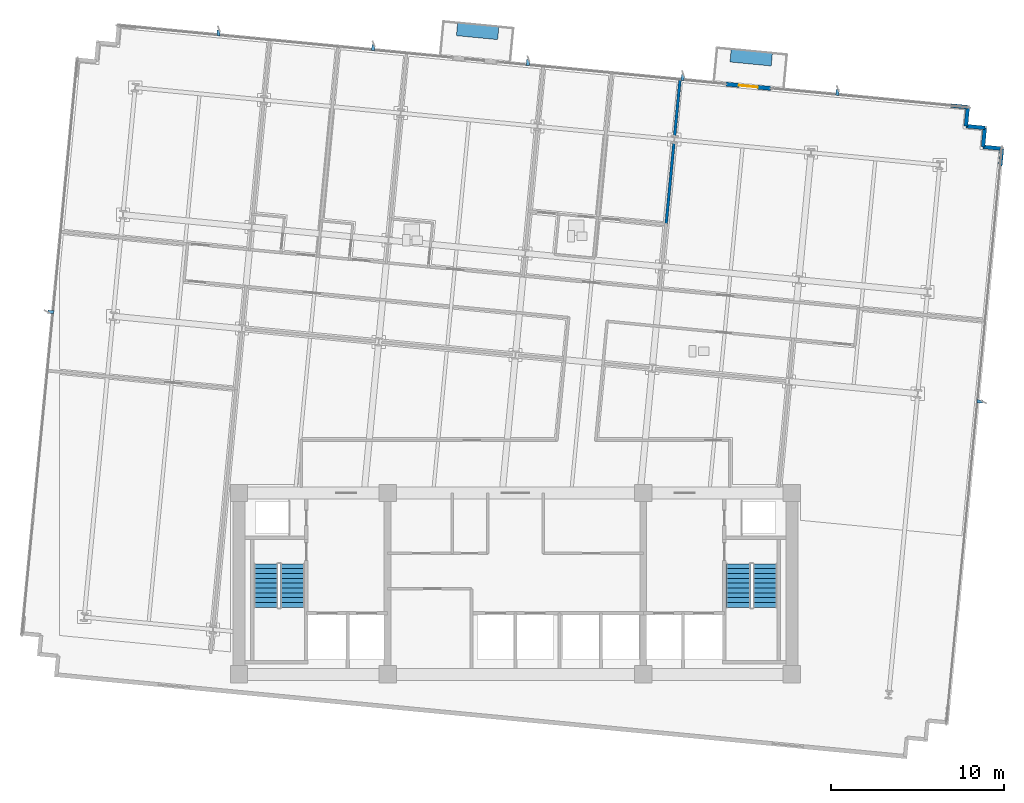
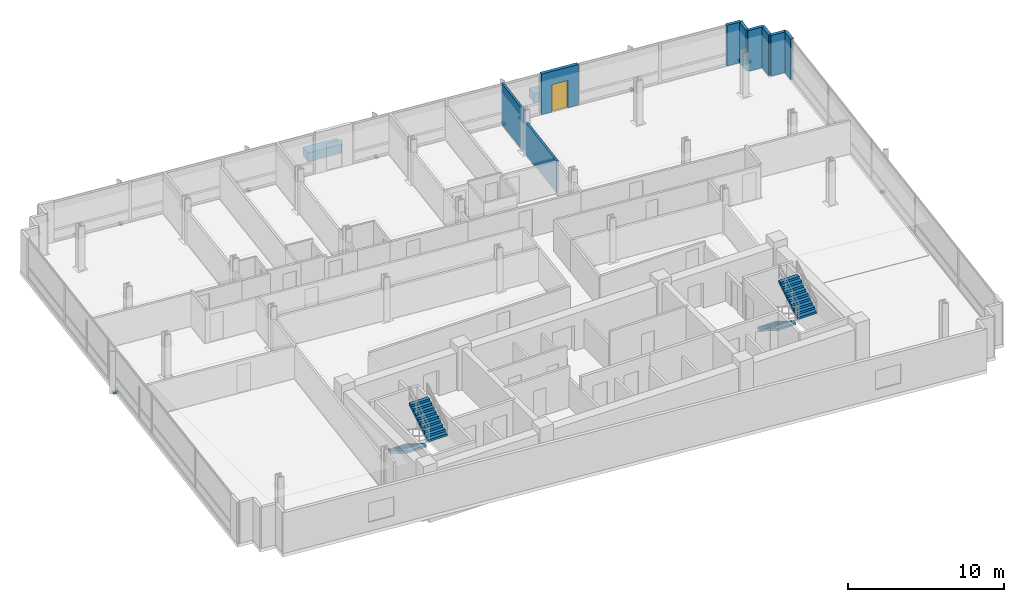
# One storey, part 13 of 17: 9 discrete accessories, 9 walls, 4 stair flights, 1 door, 1 opening, 2 elements without a shape of their own.
"""IFC4 building model written with IfcOpenShell, lengths in metres."""

from ifc_helpers import new_model, si_unit, direction, frame, frame_2d, origin, origin_2d, place, context, subcontext, project, spatial, polyline, rectangle, outline, extrude, material, layer, layer_set, type_object, element, fill, aggregate, save


model = new_model("IFC4")

# Units and contexts
model_context = context("Model", 3, precision=1e-05, world=origin(), true_north=direction((0.0, 1.0)))
body_context = subcontext(model_context, "Body", "Model", "MODEL_VIEW")
ifc_project = project(units=[si_unit("LENGTHUNIT", "METRE"), si_unit("AREAUNIT", "SQUARE_METRE"), si_unit("VOLUMEUNIT", "CUBIC_METRE"), si_unit("PLANEANGLEUNIT", "RADIAN"), si_unit("MASSUNIT", "GRAM", prefix="KILO")], contexts=[model_context])

# Site, building, storey
site_placement = place(None, origin())
site = spatial("IfcSite", under=ifc_project, at=site_placement, CompositionType="ELEMENT")
building_placement = place(site_placement, origin())
building = spatial("IfcBuilding", under=site, at=building_placement, Name="Solmavex Isthmus Hotel", CompositionType="ELEMENT")
storey_placement = place(building_placement, frame((0.0, 0.0, 156.60009765625)))
storey = spatial("IfcBuildingStorey", under=building, at=storey_placement, Name="L42", CompositionType="ELEMENT", Elevation=156.60009765625)

# Wall, opening, door
ifc_material_1 = material(Name="Precast Concrete C40/50", Category="concrete")
ifc_layer_1 = layer(ifc_material_1, 0.25)
ifc_layer_set_1 = layer_set([ifc_layer_1], Name="Precast Concrete C40/50")
wall_type_1 = type_object("IfcWallType", Name="EW-TWR-250", PredefinedType="STANDARD", material=ifc_layer_set_1)
wall_1_placement = place(storey_placement, frame((12.194580078125, 21.173828125, 0.0), z_axis=(0.0, 0.0, 1.0), x_axis=(0.995394049959, -0.095868061976, 0.0)))
wall_1 = element("IfcWall", 1, at=wall_1_placement, inside=storey, type_object=wall_type_1, Name="Exterior Balcony Door Wall L42-3", PredefinedType="STANDARD", context=body_context, shape_type="SweptSolid", body=[
    extrude(rectangle(XDim=2.60009765625, YDim=0.239990234375, at=frame_2d((1.300048828125, 0.0))), origin(), (0.0, 0.0, 1.0), 3.18994140625),
])
opening_placement = place(wall_1_placement, frame((0.75, 0.0, 0.0)))
opening = element("IfcOpeningElement", 2, at=opening_placement, cuts=wall_1, Name="Opening ED-02", PredefinedType="OPENING", context=body_context, shape_type="SweptSolid", body=[
    extrude(rectangle(XDim=1.10009765625, YDim=2.14990234375, at=frame_2d((0.550048828125, 1.074951171875))), frame((0.0, 0.1298828125, 0.0), z_axis=(0.0, -1.0, 0.0), x_axis=(1.0, 0.0, 0.0)), (0.0, 0.0, 1.0), 0.260009765625),
])
ifc_material_2 = material(Name="Aluminium alloy 6063-T6", Category="aluminium")
door_type = type_object("IfcDoorType", Name="EDR-BALC-1100", OperationType="NOTDEFINED", PredefinedType="DOOR", material=ifc_material_2)
door_placement = place(opening_placement, origin())
door = element("IfcDoor", 3, at=door_placement, inside=storey, type_object=door_type, Name="Balcony & Terrace Glazed Door L42-3", OperationType="SINGLE_SWING_LEFT", OverallHeight=2.14990234375, OverallWidth=1.10009765625, PredefinedType="DOOR", context=body_context, shape_type="SweptSolid", body=[
    extrude(rectangle(XDim=1.10009765625, YDim=2.14990234375, at=frame_2d((0.550048828125, 1.074951171875))), frame((0.0, 0.02490234375, 0.0), z_axis=(0.0, -1.0, 0.0), x_axis=(1.0, 0.0, 0.0)), (0.0, 0.0, 1.0), 0.050048828125),
])
fill(opening, door)

# Walls
wall_2_placement = place(storey_placement, frame((25.201416015625, 19.931396484375, 0.0), z_axis=(0.0, 0.0, 1.0), x_axis=(0.99541083642, -0.095693608655, 0.0)))
element("IfcWall", 4, at=wall_2_placement, inside=storey, type_object=wall_type_1, Name="Serrated Corner Facade Panel L42-14", PredefinedType="STANDARD", context=body_context, shape_type="SweptSolid", body=[
    extrude(rectangle(XDim=0.989990234375, YDim=0.219970703125, at=frame_2d((0.4951171875, 0.0))), origin(), (0.0, 0.0, 1.0), 3.18994140625),
])
wall_3_placement = place(storey_placement, frame((26.186767578125, 19.836669921875, 0.0), z_axis=(0.0, 0.0, 1.0), x_axis=(-0.095657429048, -0.995414313875, 0.0)))
element("IfcWall", 5, at=wall_3_placement, inside=storey, type_object=wall_type_1, Name="Serrated Corner Facade Panel L42-15", PredefinedType="STANDARD", context=body_context, shape_type="SweptSolid", body=[
    extrude(rectangle(XDim=1.10009765625, YDim=0.219970703125, at=frame_2d((0.550048828125, 0.0))), origin(), (0.0, 0.0, 1.0), 3.18994140625),
])
wall_4_placement = place(storey_placement, frame((26.08154296875, 18.74169921875, 0.0), z_axis=(0.0, 0.0, 1.0), x_axis=(0.995391116058, -0.095898519656, 0.0)))
element("IfcWall", 6, at=wall_4_placement, inside=storey, type_object=wall_type_1, Name="Serrated Corner Facade Panel L42-16", PredefinedType="STANDARD", context=body_context, shape_type="SweptSolid", body=[
    extrude(rectangle(XDim=1.099853515625, YDim=0.219970703125, at=frame_2d((0.5498046875, 0.0))), origin(), (0.0, 0.0, 1.0), 3.18994140625),
])
wall_5_placement = place(storey_placement, frame((27.17626953125, 18.63623046875, 0.0), z_axis=(0.0, 0.0, 1.0), x_axis=(-0.095657429048, -0.995414313875, 0.0)))
element("IfcWall", 7, at=wall_5_placement, inside=storey, type_object=wall_type_1, Name="Serrated Corner Facade Panel L42-17", PredefinedType="STANDARD", context=body_context, shape_type="SweptSolid", body=[
    extrude(rectangle(XDim=1.10009765625, YDim=0.219970703125, at=frame_2d((0.550048828125, 0.0))), origin(), (0.0, 0.0, 1.0), 3.18994140625),
])
wall_6_placement = place(storey_placement, frame((27.071044921875, 17.541259765625, 0.0), z_axis=(0.0, 0.0, 1.0), x_axis=(0.995391116058, -0.095898519656, 0.0)))
element("IfcWall", 8, at=wall_6_placement, inside=storey, type_object=wall_type_1, Name="Serrated Corner Facade Panel L42-18", PredefinedType="STANDARD", context=body_context, shape_type="SweptSolid", body=[
    extrude(rectangle(XDim=1.099853515625, YDim=0.219970703125, at=frame_2d((0.5498046875, 0.0))), origin(), (0.0, 0.0, 1.0), 3.18994140625),
])
wall_7_placement = place(storey_placement, frame((28.165771484375, 17.435791015625, 0.0), z_axis=(0.0, 0.0, 1.0), x_axis=(-0.095693608655, -0.99541083642, 0.0)))
element("IfcWall", 9, at=wall_7_placement, inside=storey, type_object=wall_type_1, Name="Serrated Corner Facade Panel L42-19", PredefinedType="STANDARD", context=body_context, shape_type="SweptSolid", body=[
    extrude(rectangle(XDim=0.989990234375, YDim=0.219970703125, at=frame_2d((0.4951171875, 0.0))), origin(), (0.0, 0.0, 1.0), 3.18994140625),
])
ifc_material_3 = material(Name="Gypsum plasterboard lining", Category="gypsum")
ifc_layer_2 = layer(ifc_material_3, 0.159912109375)
ifc_layer_set_2 = layer_set([ifc_layer_2], Name="Gypsum plasterboard lining")
wall_type_2 = type_object("IfcWallType", Name="IW-COMP-160", PredefinedType="PARTITIONING", material=ifc_layer_set_2)
wall_8_placement = place(storey_placement, frame((9.178466796875, 17.791259765625, 0.0), z_axis=(0.0, 0.0, 1.0), x_axis=(-0.095811141896, -0.995399530384, 0.0)))
element("IfcWall", 10, at=wall_8_placement, inside=storey, type_object=wall_type_2, Name="Interior Partition Wall W-L42-P053", PredefinedType="PARTITIONING", context=body_context, shape_type="SweptSolid", body=[
    extrude(rectangle(XDim=4.805908203125, YDim=0.159912109375, at=frame_2d((2.40283203125, 0.0))), origin(), (0.0, 0.0, 1.0), 2.4794921875),
])
wall_9_placement = place(storey_placement, frame((9.53271484375, 21.470458984375, 0.0), z_axis=(0.0, 0.0, 1.0), x_axis=(-0.095859866796, -0.995394839216, 0.0)))
element("IfcWall", 11, at=wall_9_placement, inside=storey, type_object=wall_type_2, Name="Interior Partition Wall W-L42-P054", PredefinedType="PARTITIONING", context=body_context, shape_type="SweptSolid", body=[
    extrude(rectangle(XDim=3.343994140625, YDim=0.159912109375, at=frame_2d((1.671875, 0.0))), origin(), (0.0, 0.0, 1.0), 3.18994140625),
])

# Stair, stair flights
ifc_material_4 = material(Name="Concrete C40/50", Category="concrete")
stair_type_1 = type_object("IfcStairType", Name="STR-ST-1", PredefinedType="HALF_TURN_STAIR", material=ifc_material_4)
stair_1_placement = place(storey_placement, origin())
stair_1 = element("IfcStair", 12, at=stair_1_placement, inside=storey, type_object=stair_type_1, Name="L42 Protected Exit Stair ST-1", PredefinedType="HALF_TURN_STAIR")
stair_flight_type_1 = type_object("IfcStairFlightType", Name="SFL-ST-1", PredefinedType="STRAIGHT", material=ifc_material_4)
stair_flight_1_placement = place(storey_placement, frame((-14.449951171875, -6.60009765625, 0.0), z_axis=(0.0, 0.0, 1.0), x_axis=(0.0, -1.0, 0.0)))
stair_flight_1 = element("IfcStairFlight", 13, at=stair_flight_1_placement, type_object=stair_flight_type_1, Name="ST-1 flight 1", NumberOfRisers=10, NumberOfTreads=9, PredefinedType="STRAIGHT", RiserHeight=0.1725, TreadLength=0.28, context=body_context, shape_type="SweptSolid", body=[
    extrude(outline(polyline([(0.0, 0.0), (0.0, 0.172607421875), (0.280029296875, 0.172607421875), (0.280029296875, 0.344970703125), (0.56005859375, 0.344970703125), (0.56005859375, 0.517578125), (0.840087890625, 0.517578125), (0.840087890625, 0.68994140625), (1.1201171875, 0.68994140625), (1.1201171875, 0.862548828125), (1.39990234375, 0.862548828125), (1.39990234375, 1.034912109375), (1.679931640625, 1.034912109375), (1.679931640625, 1.20751953125), (1.9599609375, 1.20751953125), (1.9599609375, 1.3798828125), (2.239990234375, 1.3798828125), (2.239990234375, 1.552490234375), (2.52001953125, 1.552490234375), (2.52001953125, 1.72509765625), (2.52001953125, 1.37646484375), (0.285888671875, 0.0), (0.0, 0.0)])), frame((0.0, 0.699951171875, 0.0), z_axis=(0.0, -1.0, 0.0), x_axis=(1.0, 0.0, 0.0)), (0.0, 0.0, 1.0), 1.39990234375),
])
stair_flight_2_placement = place(storey_placement, frame((-12.89990234375, -9.1201171875, 1.724853515625), z_axis=(0.0, 0.0, 1.0), x_axis=(0.0, 1.0, 0.0)))
stair_flight_2 = element("IfcStairFlight", 14, at=stair_flight_2_placement, type_object=stair_flight_type_1, Name="ST-1 flight 2", NumberOfRisers=10, NumberOfTreads=9, PredefinedType="STRAIGHT", RiserHeight=0.1725, TreadLength=0.28, context=body_context, shape_type="SweptSolid", body=[
    extrude(outline(polyline([(0.0, 0.0), (0.0, 0.172607421875), (0.280029296875, 0.172607421875), (0.280029296875, 0.344970703125), (0.56005859375, 0.344970703125), (0.56005859375, 0.517578125), (0.840087890625, 0.517578125), (0.840087890625, 0.68994140625), (1.1201171875, 0.68994140625), (1.1201171875, 0.862548828125), (1.39990234375, 0.862548828125), (1.39990234375, 1.034912109375), (1.679931640625, 1.034912109375), (1.679931640625, 1.20751953125), (1.9599609375, 1.20751953125), (1.9599609375, 1.3798828125), (2.239990234375, 1.3798828125), (2.239990234375, 1.552490234375), (2.52001953125, 1.552490234375), (2.52001953125, 1.72509765625), (2.52001953125, 1.37646484375), (0.285888671875, 0.0), (0.0, 0.0)])), frame((0.0, 0.699951171875, 0.0), z_axis=(0.0, -1.0, 0.0), x_axis=(1.0, 0.0, 0.0)), (0.0, 0.0, 1.0), 1.39990234375),
])
aggregate(stair_1, [stair_flight_1, stair_flight_2])

stair_type_2 = type_object("IfcStairType", Name="STR-ST-2", PredefinedType="HALF_TURN_STAIR", material=ifc_material_4)
stair_2_placement = place(storey_placement, origin())
stair_2 = element("IfcStair", 15, at=stair_2_placement, inside=storey, type_object=stair_type_2, Name="L42 Protected Exit Stair ST-2", PredefinedType="HALF_TURN_STAIR")
stair_flight_type_2 = type_object("IfcStairFlightType", Name="SFL-ST-2", PredefinedType="STRAIGHT", material=ifc_material_4)
stair_flight_3_placement = place(storey_placement, frame((12.89990234375, -6.60009765625, 0.0), z_axis=(0.0, 0.0, 1.0), x_axis=(0.0, -1.0, 0.0)))
stair_flight_3 = element("IfcStairFlight", 16, at=stair_flight_3_placement, type_object=stair_flight_type_2, Name="ST-2 flight 1", NumberOfRisers=10, NumberOfTreads=9, PredefinedType="STRAIGHT", RiserHeight=0.1725, TreadLength=0.28, context=body_context, shape_type="SweptSolid", body=[
    extrude(outline(polyline([(0.0, 0.0), (0.0, 0.172607421875), (0.280029296875, 0.172607421875), (0.280029296875, 0.344970703125), (0.56005859375, 0.344970703125), (0.56005859375, 0.517578125), (0.840087890625, 0.517578125), (0.840087890625, 0.68994140625), (1.1201171875, 0.68994140625), (1.1201171875, 0.862548828125), (1.39990234375, 0.862548828125), (1.39990234375, 1.034912109375), (1.679931640625, 1.034912109375), (1.679931640625, 1.20751953125), (1.9599609375, 1.20751953125), (1.9599609375, 1.3798828125), (2.239990234375, 1.3798828125), (2.239990234375, 1.552490234375), (2.52001953125, 1.552490234375), (2.52001953125, 1.72509765625), (2.52001953125, 1.37646484375), (0.285888671875, 0.0), (0.0, 0.0)])), frame((0.0, 0.699951171875, 0.0), z_axis=(0.0, -1.0, 0.0), x_axis=(1.0, 0.0, 0.0)), (0.0, 0.0, 1.0), 1.39990234375),
])
stair_flight_4_placement = place(storey_placement, frame((14.449951171875, -9.1201171875, 1.724853515625), z_axis=(0.0, 0.0, 1.0), x_axis=(0.0, 1.0, 0.0)))
stair_flight_4 = element("IfcStairFlight", 17, at=stair_flight_4_placement, type_object=stair_flight_type_2, Name="ST-2 flight 2", NumberOfRisers=10, NumberOfTreads=9, PredefinedType="STRAIGHT", RiserHeight=0.1725, TreadLength=0.28, context=body_context, shape_type="SweptSolid", body=[
    extrude(outline(polyline([(0.0, 0.0), (0.0, 0.172607421875), (0.280029296875, 0.172607421875), (0.280029296875, 0.344970703125), (0.56005859375, 0.344970703125), (0.56005859375, 0.517578125), (0.840087890625, 0.517578125), (0.840087890625, 0.68994140625), (1.1201171875, 0.68994140625), (1.1201171875, 0.862548828125), (1.39990234375, 0.862548828125), (1.39990234375, 1.034912109375), (1.679931640625, 1.034912109375), (1.679931640625, 1.20751953125), (1.9599609375, 1.20751953125), (1.9599609375, 1.3798828125), (2.239990234375, 1.3798828125), (2.239990234375, 1.552490234375), (2.52001953125, 1.552490234375), (2.52001953125, 1.72509765625), (2.52001953125, 1.37646484375), (0.285888671875, 0.0), (0.0, 0.0)])), frame((0.0, 0.699951171875, 0.0), z_axis=(0.0, -1.0, 0.0), x_axis=(1.0, 0.0, 0.0)), (0.0, 0.0, 1.0), 1.39990234375),
])
aggregate(stair_2, [stair_flight_3, stair_flight_4])

# Discrete accessories
ifc_material_5 = material(Name="Steel ASTM A572 Grade 50", Category="steel")
discrete_accessory_type_1 = type_object("IfcDiscreteAccessoryType", Name="ACC-BRK-FIN", PredefinedType="BRACKET", material=ifc_material_5)
for number, where, z_axis, x_axis, name in (
    (18, (-17.18994140625, 24.143798828125, -0.169921875), (0.0, 0.0, 1.0), (0.09584575252, 0.995396198367, 0.0), "Facade Fin Support Bracket L42-N1"),
    (19, (-8.2314453125, 23.28125, -0.169921875), (0.0, 0.0, 1.0), (0.09584575252, 0.995396198367, 0.0), "Facade Fin Support Bracket L42-N2"),
    (20, (0.72705078125, 22.418701171875, -0.169921875), (0.0, 0.0, 1.0), (0.09584575252, 0.995396198367, 0.0), "Facade Fin Support Bracket L42-N3"),
    (21, (9.685791015625, 21.55615234375, -0.169921875), (0.0, 0.0, 1.0), (0.09584575252, 0.995396198367, 0.0), "Facade Fin Support Bracket L42-N4"),
    (22, (18.644287109375, 20.693359375, -0.169921875), (0.0, 0.0, 1.0), (0.09584575252, 0.995396198367, 0.0), "Facade Fin Support Bracket L42-N5"),
    (23, (-26.90380859375, 7.98046875, -0.169921875), (0.0, 0.0, 1.0), (-0.995396198367, 0.09584575252, 0.0), "Facade Fin Support Bracket L42-W1"),
    (24, (26.88720703125, 2.801025390625, -0.169921875), (0.0, 0.0, 1.0), (0.995396198367, -0.09584575252, 0.0), "Facade Fin Support Bracket L42-E1"),
):
    element("IfcDiscreteAccessory", number, at=place(storey_placement, frame(where, z_axis=z_axis, x_axis=x_axis)), inside=storey, type_object=discrete_accessory_type_1, Name=name, PredefinedType="BRACKET", context=body_context, shape_type="SweptSolid", body=[
        extrude(rectangle(XDim=0.340087890625, YDim=0.179931640625, at=origin_2d()), origin(), (0.0, 0.0, 1.0), 0.159912109375),
    ])
discrete_accessory_type_2 = type_object("IfcDiscreteAccessoryType", Name="ACC-PLN-BALC", PredefinedType="USERDEFINED", material=ifc_material_1)
for number, where, z_axis, x_axis, name in (
    (25, (-2.18994140625, 24.236572265625, 0.0), (0.0, 0.0, 1.0), (0.995396198367, -0.09584575252, 0.0), "Tree-Balcony Architectural Planter L42-B1"),
    (26, (13.648681640625, 22.711669921875, 0.0), (0.0, 0.0, 1.0), (0.995396198367, -0.09584575252, 0.0), "Tree-Balcony Architectural Planter L42-B2"),
):
    element("IfcDiscreteAccessory", number, at=place(storey_placement, frame(where, z_axis=z_axis, x_axis=x_axis)), inside=storey, type_object=discrete_accessory_type_2, Name=name, ObjectType="PLANTER", PredefinedType="USERDEFINED", context=body_context, shape_type="SweptSolid", body=[
        extrude(rectangle(XDim=2.39990234375, YDim=0.75, at=origin_2d()), origin(), (0.0, 0.0, 1.0), 0.699951171875),
    ])

save(model, "model.ifc")
